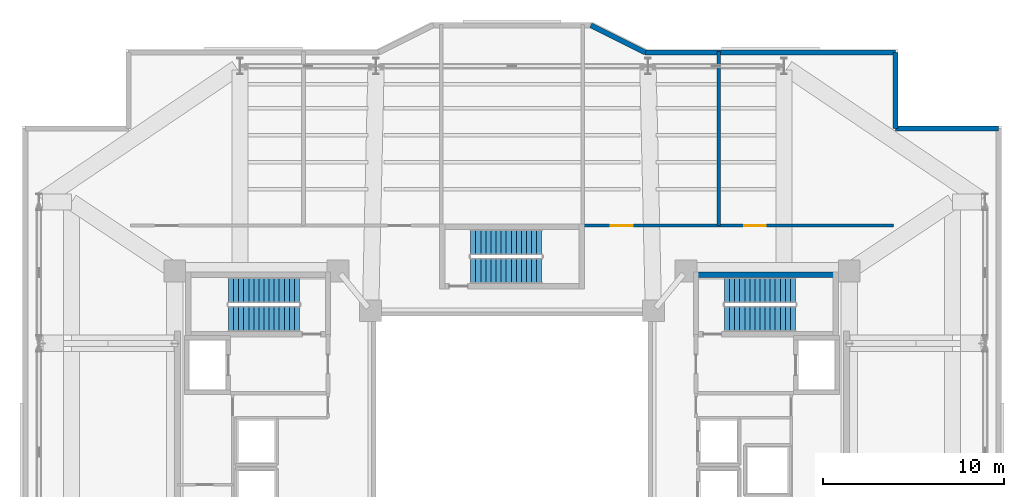
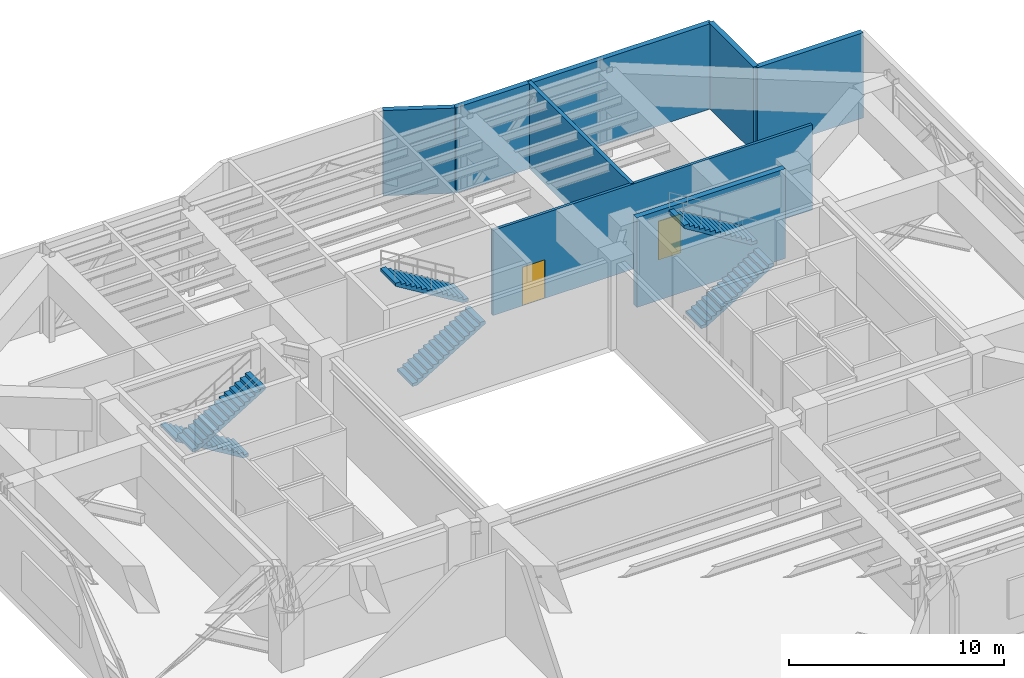
# One storey, part 10 of 13: 7 walls, 6 stair flights, 2 doors, 2 openings, 3 elements without a shape of their own.
"""IFC4 building model written with IfcOpenShell, lengths in metres."""

from ifc_helpers import new_model, si_unit, direction, frame, frame_2d, origin, place, context, subcontext, project, spatial, polyline, rectangle, outline, extrude, material, layer, layer_set, type_object, element, fill, aggregate, save


model = new_model("IFC4")

# Units and contexts
model_context = context("Model", 3, precision=1e-05, world=origin(), true_north=direction((0.0, 1.0)))
body_context = subcontext(model_context, "Body", "Model", "MODEL_VIEW")
ifc_project = project(units=[si_unit("LENGTHUNIT", "METRE"), si_unit("AREAUNIT", "SQUARE_METRE"), si_unit("VOLUMEUNIT", "CUBIC_METRE"), si_unit("PLANEANGLEUNIT", "RADIAN"), si_unit("MASSUNIT", "GRAM", prefix="KILO")], contexts=[model_context])

# Site, building, storey
site_placement = place(None, origin())
site = spatial("IfcSite", under=ifc_project, at=site_placement, CompositionType="ELEMENT")
building_placement = place(site_placement, origin())
building = spatial("IfcBuilding", under=site, at=building_placement, Name="Tarnavaz Court Tower", CompositionType="ELEMENT")
storey_placement = place(building_placement, frame((0.0, 0.0, 127.5)))
storey = spatial("IfcBuildingStorey", under=building, at=storey_placement, Name="L34", CompositionType="ELEMENT", Elevation=127.5)

# Walls
ifc_material_1 = material(Name="Concrete C60/75", Category="concrete")
ifc_layer_1 = layer(ifc_material_1, 0.300048828125)
ifc_layer_set_1 = layer_set([ifc_layer_1], Name="Concrete C60/75")
wall_type_1 = type_object("IfcWallType", Name="WL-CORE-300-C60", PredefinedType="SHEAR", material=ifc_layer_set_1)
wall_1_placement = place(storey_placement, frame((10.0, 9.7900390625, 0.0), z_axis=(0.0, 0.0, 1.0), x_axis=(1.0, 0.0, 0.0)))
element("IfcWall", 1, at=wall_1_placement, inside=storey, type_object=wall_type_1, Name="L34 East Stair Core Wall 005", PredefinedType="SHEAR", context=body_context, shape_type="SweptSolid", body=[
    extrude(rectangle(XDim=8.0, YDim=0.300048828125, at=frame_2d((4.0, 0.0))), origin(), (0.0, 0.0, 1.0), 5.10009765625),
])
ifc_material_2 = material(Name="Precast Concrete C40/50", Category="concrete")
ifc_layer_2 = layer(ifc_material_2, 0.280029296875)
ifc_layer_set_2 = layer_set([ifc_layer_2], Name="Precast Concrete C40/50")
wall_type_2 = type_object("IfcWallType", Name="WL-EXT-280", PredefinedType="SOLIDWALL", material=ifc_layer_set_2)
wall_2_placement = place(storey_placement, frame((4.35009765625, 23.550048828125, 0.0), z_axis=(0.0, 0.0, 1.0), x_axis=(0.894427191, -0.4472135955, 0.0)))
element("IfcWall", 2, at=wall_2_placement, inside=storey, type_object=wall_type_2, Name="L34 Exterior Terracotta Facade Wall 08", PredefinedType="SOLIDWALL", context=body_context, shape_type="SweptSolid", body=[
    extrude(rectangle(XDim=3.35400390625, YDim=0.280029296875, at=frame_2d((1.677001953125, 0.0))), origin(), (0.0, 0.0, 1.0), 4.85009765625),
])
wall_3_placement = place(storey_placement, frame((7.35009765625, 22.050048828125, 0.0), z_axis=(0.0, 0.0, 1.0), x_axis=(1.0, 0.0, 0.0)))
element("IfcWall", 3, at=wall_3_placement, inside=storey, type_object=wall_type_2, Name="L34 Exterior Terracotta Facade Wall 09", PredefinedType="SOLIDWALL", context=body_context, shape_type="SweptSolid", body=[
    extrude(rectangle(XDim=13.7998046875, YDim=0.280029296875, at=frame_2d((6.89990234375, 0.0))), origin(), (0.0, 0.0, 1.0), 4.85009765625),
])
wall_4_placement = place(storey_placement, frame((21.14990234375, 22.050048828125, 0.0), z_axis=(0.0, 0.0, 1.0), x_axis=(0.0, -1.0, 0.0)))
element("IfcWall", 4, at=wall_4_placement, inside=storey, type_object=wall_type_2, Name="L34 Exterior Terracotta Facade Wall 10", PredefinedType="SOLIDWALL", context=body_context, shape_type="SweptSolid", body=[
    extrude(rectangle(XDim=4.199951171875, YDim=0.280029296875, at=frame_2d((2.10009765625, 0.0))), origin(), (0.0, 0.0, 1.0), 4.85009765625),
])
wall_5_placement = place(storey_placement, frame((21.14990234375, 17.85009765625, 0.0), z_axis=(0.0, 0.0, 1.0), x_axis=(1.0, 0.0, 0.0)))
element("IfcWall", 5, at=wall_5_placement, inside=storey, type_object=wall_type_2, Name="L34 Exterior Terracotta Facade Wall 11", PredefinedType="SOLIDWALL", context=body_context, shape_type="SweptSolid", body=[
    extrude(rectangle(XDim=5.7001953125, YDim=0.280029296875, at=frame_2d((2.85009765625, 0.0))), origin(), (0.0, 0.0, 1.0), 4.85009765625),
])

# Wall, openings, doors
ifc_material_3 = material(Name="Gypsum Fire-Board on Acoustic Metal Stud", Category="masonry")
ifc_layer_3 = layer(ifc_material_3, 0.14990234375)
ifc_layer_set_3 = layer_set([ifc_layer_3], Name="Gypsum Fire-Board on Acoustic Metal Stud")
wall_type_3 = type_object("IfcWallType", Name="WL-FIRE-150", PredefinedType="PARTITIONING", material=ifc_layer_set_3)
wall_6_placement = place(storey_placement, frame((3.85009765625, 12.5, 0.0), z_axis=(0.0, 0.0, 1.0), x_axis=(1.0, 0.0, 0.0)))
wall_6 = element("IfcWall", 6, at=wall_6_placement, inside=storey, type_object=wall_type_3, Name="L34 NE Wing Corridor Wall 070", PredefinedType="PARTITIONING", context=body_context, shape_type="SweptSolid", body=[
    extrude(rectangle(XDim=17.199951171875, YDim=0.14990234375, at=frame_2d((8.60009765625, 0.0))), origin(), (0.0, 0.0, 1.0), 4.85009765625),
])
opening_1_placement = place(wall_6_placement, frame((1.60009765625, 0.0, 0.0)))
opening_1 = element("IfcOpeningElement", 7, at=opening_1_placement, cuts=wall_6, Name="Opening D03", PredefinedType="OPENING", context=body_context, shape_type="SweptSolid", body=[
    extrude(rectangle(XDim=1.199951171875, YDim=2.199951171875, at=frame_2d((0.60009765625, 1.10009765625))), frame((0.0, 0.0849609375, 0.0), z_axis=(0.0, -1.0, 0.0), x_axis=(1.0, 0.0, 0.0)), (0.0, 0.0, 1.0), 0.169921875),
])
opening_2_placement = place(wall_6_placement, frame((8.949951171875, 0.0, 0.0)))
opening_2 = element("IfcOpeningElement", 8, at=opening_2_placement, cuts=wall_6, Name="Opening D03", PredefinedType="OPENING", context=body_context, shape_type="SweptSolid", body=[
    extrude(rectangle(XDim=1.199951171875, YDim=2.199951171875, at=frame_2d((0.60009765625, 1.10009765625))), frame((0.0, 0.0849609375, 0.0), z_axis=(0.0, -1.0, 0.0), x_axis=(1.0, 0.0, 0.0)), (0.0, 0.0, 1.0), 0.169921875),
])
ifc_material_4 = material(Name="Fire-Rated Hardwood Timber Core", Category="wood")
door_type = type_object("IfcDoorType", Name="DR-FD90-1200", OperationType="NOTDEFINED", PredefinedType="DOOR", material=ifc_material_4)
door_1_placement = place(opening_1_placement, origin())
door_1 = element("IfcDoor", 9, at=door_1_placement, inside=storey, type_object=door_type, Name="L34 AHU Plant Room Door", OperationType="SINGLE_SWING_LEFT", OverallHeight=2.199951171875, OverallWidth=1.199951171875, PredefinedType="DOOR", context=body_context, shape_type="SweptSolid", body=[
    extrude(rectangle(XDim=1.199951171875, YDim=2.199951171875, at=frame_2d((0.60009765625, 1.10009765625))), frame((0.0, 0.02490234375, 0.0), z_axis=(0.0, -1.0, 0.0), x_axis=(1.0, 0.0, 0.0)), (0.0, 0.0, 1.0), 0.050048828125),
])
fill(opening_1, door_1)
door_2_placement = place(opening_2_placement, origin())
door_2 = element("IfcDoor", 10, at=door_2_placement, inside=storey, type_object=door_type, Name="L34 Booster Pump Room Door", OperationType="SINGLE_SWING_RIGHT", OverallHeight=2.199951171875, OverallWidth=1.199951171875, PredefinedType="DOOR", context=body_context, shape_type="SweptSolid", body=[
    extrude(rectangle(XDim=1.199951171875, YDim=2.199951171875, at=frame_2d((0.60009765625, 1.10009765625))), frame((0.0, 0.02490234375, 0.0), z_axis=(0.0, -1.0, 0.0), x_axis=(1.0, 0.0, 0.0)), (0.0, 0.0, 1.0), 0.050048828125),
])
fill(opening_2, door_2)

# Wall
ifc_material_5 = material(Name="Autoclaved Aerated Concrete Blockwork", Category="masonry")
ifc_layer_4 = layer(ifc_material_5, 0.199951171875)
ifc_layer_set_4 = layer_set([ifc_layer_4], Name="Autoclaved Aerated Concrete Blockwork")
wall_type_4 = type_object("IfcWallType", Name="WL-FIRE-200", PredefinedType="SOLIDWALL", material=ifc_layer_set_4)
wall_7_placement = place(storey_placement, frame((11.39990234375, 12.5, 0.0), z_axis=(0.0, 0.0, 1.0), x_axis=(0.0, 1.0, 0.0)))
element("IfcWall", 11, at=wall_7_placement, inside=storey, type_object=wall_type_4, Name="L34 Interior Partition 076", PredefinedType="SOLIDWALL", context=body_context, shape_type="SweptSolid", body=[
    extrude(rectangle(XDim=9.60009765625, YDim=0.199951171875, at=frame_2d((4.800048828125, 0.0))), origin(), (0.0, 0.0, 1.0), 4.85009765625),
])

# Stair, stair flights
ifc_material_6 = material(Name="Concrete C40/50", Category="concrete")
stair_type = type_object("IfcStairType", Name="ST-TWR-30R", PredefinedType="HALF_TURN_STAIR", material=ifc_material_6)
stair_1_placement = place(storey_placement, origin())
stair_1 = element("IfcStair", 12, at=stair_1_placement, inside=storey, type_object=stair_type, Name="L34 West Core Pressurized Exit Stair ST-W1", PredefinedType="HALF_TURN_STAIR")
stair_flight_type = type_object("IfcStairFlightType", Name="SFL-RC-30R", PredefinedType="STRAIGHT", material=ifc_material_6)
stair_flight_1_placement = place(storey_placement, frame((-11.719970703125, 8.929931640625, 0.0), z_axis=(0.0, 0.0, 1.0), x_axis=(-1.0, 0.0, 0.0)))
stair_flight_1 = element("IfcStairFlight", 13, at=stair_flight_1_placement, type_object=stair_flight_type, Name="ST-W1 flight 1", NumberOfRisers=15, NumberOfTreads=14, PredefinedType="STRAIGHT", RiserHeight=0.17, TreadLength=0.28, context=body_context, shape_type="SweptSolid", body=[
    extrude(outline(polyline([(0.0, 0.0), (0.0, 0.169921875), (0.280029296875, 0.169921875), (0.280029296875, 0.340087890625), (0.56005859375, 0.340087890625), (0.56005859375, 0.510009765625), (0.840087890625, 0.510009765625), (0.840087890625, 0.679931640625), (1.1201171875, 0.679931640625), (1.1201171875, 0.85009765625), (1.39990234375, 0.85009765625), (1.39990234375, 1.02001953125), (1.679931640625, 1.02001953125), (1.679931640625, 1.18994140625), (1.9599609375, 1.18994140625), (1.9599609375, 1.360107421875), (2.239990234375, 1.360107421875), (2.239990234375, 1.530029296875), (2.52001953125, 1.530029296875), (2.52001953125, 1.699951171875), (2.800048828125, 1.699951171875), (2.800048828125, 1.8701171875), (3.080078125, 1.8701171875), (3.080078125, 2.0400390625), (3.360107421875, 2.0400390625), (3.360107421875, 2.2099609375), (3.639892578125, 2.2099609375), (3.639892578125, 2.3798828125), (3.919921875, 2.3798828125), (3.919921875, 2.550048828125), (3.919921875, 2.20458984375), (0.288818359375, 0.0), (0.0, 0.0)])), frame((0.0, 0.7099609375, 0.0), z_axis=(0.0, -1.0, 0.0), x_axis=(1.0, 0.0, 0.0)), (0.0, 0.0, 1.0), 1.419921875),
])
stair_flight_2_placement = place(storey_placement, frame((-15.639892578125, 7.360107421875, 2.550048828125), z_axis=(0.0, 0.0, 1.0), x_axis=(1.0, 0.0, 0.0)))
stair_flight_2 = element("IfcStairFlight", 14, at=stair_flight_2_placement, type_object=stair_flight_type, Name="ST-W1 flight 2", NumberOfRisers=15, NumberOfTreads=14, PredefinedType="STRAIGHT", RiserHeight=0.17, TreadLength=0.28, context=body_context, shape_type="SweptSolid", body=[
    extrude(outline(polyline([(0.0, 0.0), (0.0, 0.169921875), (0.280029296875, 0.169921875), (0.280029296875, 0.340087890625), (0.56005859375, 0.340087890625), (0.56005859375, 0.510009765625), (0.840087890625, 0.510009765625), (0.840087890625, 0.679931640625), (1.1201171875, 0.679931640625), (1.1201171875, 0.85009765625), (1.39990234375, 0.85009765625), (1.39990234375, 1.02001953125), (1.679931640625, 1.02001953125), (1.679931640625, 1.18994140625), (1.9599609375, 1.18994140625), (1.9599609375, 1.360107421875), (2.239990234375, 1.360107421875), (2.239990234375, 1.530029296875), (2.52001953125, 1.530029296875), (2.52001953125, 1.699951171875), (2.800048828125, 1.699951171875), (2.800048828125, 1.8701171875), (3.080078125, 1.8701171875), (3.080078125, 2.0400390625), (3.360107421875, 2.0400390625), (3.360107421875, 2.2099609375), (3.639892578125, 2.2099609375), (3.639892578125, 2.3798828125), (3.919921875, 2.3798828125), (3.919921875, 2.550048828125), (3.919921875, 2.20458984375), (0.288818359375, 0.0), (0.0, 0.0)])), frame((0.0, 0.7099609375, 0.0), z_axis=(0.0, -1.0, 0.0), x_axis=(1.0, 0.0, 0.0)), (0.0, 0.0, 1.0), 1.419921875),
])
aggregate(stair_1, [stair_flight_1, stair_flight_2])

stair_2_placement = place(storey_placement, origin())
stair_2 = element("IfcStair", 15, at=stair_2_placement, inside=storey, type_object=stair_type, Name="L34 East Core Pressurized Exit Stair ST-E1", PredefinedType="HALF_TURN_STAIR")
stair_flight_3_placement = place(storey_placement, frame((11.719970703125, 7.360107421875, 0.0), z_axis=(0.0, 0.0, 1.0), x_axis=(1.0, 0.0, 0.0)))
stair_flight_3 = element("IfcStairFlight", 16, at=stair_flight_3_placement, type_object=stair_flight_type, Name="ST-E1 flight 1", NumberOfRisers=15, NumberOfTreads=14, PredefinedType="STRAIGHT", RiserHeight=0.17, TreadLength=0.28, context=body_context, shape_type="SweptSolid", body=[
    extrude(outline(polyline([(0.0, 0.0), (0.0, 0.169921875), (0.280029296875, 0.169921875), (0.280029296875, 0.340087890625), (0.56005859375, 0.340087890625), (0.56005859375, 0.510009765625), (0.840087890625, 0.510009765625), (0.840087890625, 0.679931640625), (1.1201171875, 0.679931640625), (1.1201171875, 0.85009765625), (1.39990234375, 0.85009765625), (1.39990234375, 1.02001953125), (1.679931640625, 1.02001953125), (1.679931640625, 1.18994140625), (1.9599609375, 1.18994140625), (1.9599609375, 1.360107421875), (2.239990234375, 1.360107421875), (2.239990234375, 1.530029296875), (2.52001953125, 1.530029296875), (2.52001953125, 1.699951171875), (2.800048828125, 1.699951171875), (2.800048828125, 1.8701171875), (3.080078125, 1.8701171875), (3.080078125, 2.0400390625), (3.360107421875, 2.0400390625), (3.360107421875, 2.2099609375), (3.639892578125, 2.2099609375), (3.639892578125, 2.3798828125), (3.919921875, 2.3798828125), (3.919921875, 2.550048828125), (3.919921875, 2.20458984375), (0.288818359375, 0.0), (0.0, 0.0)])), frame((0.0, 0.7099609375, 0.0), z_axis=(0.0, -1.0, 0.0), x_axis=(1.0, 0.0, 0.0)), (0.0, 0.0, 1.0), 1.419921875),
])
stair_flight_4_placement = place(storey_placement, frame((15.639892578125, 8.929931640625, 2.550048828125), z_axis=(0.0, 0.0, 1.0), x_axis=(-1.0, 0.0, 0.0)))
stair_flight_4 = element("IfcStairFlight", 17, at=stair_flight_4_placement, type_object=stair_flight_type, Name="ST-E1 flight 2", NumberOfRisers=15, NumberOfTreads=14, PredefinedType="STRAIGHT", RiserHeight=0.17, TreadLength=0.28, context=body_context, shape_type="SweptSolid", body=[
    extrude(outline(polyline([(0.0, 0.0), (0.0, 0.169921875), (0.280029296875, 0.169921875), (0.280029296875, 0.340087890625), (0.56005859375, 0.340087890625), (0.56005859375, 0.510009765625), (0.840087890625, 0.510009765625), (0.840087890625, 0.679931640625), (1.1201171875, 0.679931640625), (1.1201171875, 0.85009765625), (1.39990234375, 0.85009765625), (1.39990234375, 1.02001953125), (1.679931640625, 1.02001953125), (1.679931640625, 1.18994140625), (1.9599609375, 1.18994140625), (1.9599609375, 1.360107421875), (2.239990234375, 1.360107421875), (2.239990234375, 1.530029296875), (2.52001953125, 1.530029296875), (2.52001953125, 1.699951171875), (2.800048828125, 1.699951171875), (2.800048828125, 1.8701171875), (3.080078125, 1.8701171875), (3.080078125, 2.0400390625), (3.360107421875, 2.0400390625), (3.360107421875, 2.2099609375), (3.639892578125, 2.2099609375), (3.639892578125, 2.3798828125), (3.919921875, 2.3798828125), (3.919921875, 2.550048828125), (3.919921875, 2.20458984375), (0.288818359375, 0.0), (0.0, 0.0)])), frame((0.0, 0.7099609375, 0.0), z_axis=(0.0, -1.0, 0.0), x_axis=(1.0, 0.0, 0.0)), (0.0, 0.0, 1.0), 1.419921875),
])
aggregate(stair_2, [stair_flight_3, stair_flight_4])

stair_3_placement = place(storey_placement, origin())
stair_3 = element("IfcStair", 18, at=stair_3_placement, inside=storey, type_object=stair_type, Name="L34 North Ring Pressurized Exit Stair ST-N1", PredefinedType="HALF_TURN_STAIR")
stair_flight_5_placement = place(storey_placement, frame((-2.280029296875, 10.010009765625, 0.0), z_axis=(0.0, 0.0, 1.0), x_axis=(1.0, 0.0, 0.0)))
stair_flight_5 = element("IfcStairFlight", 19, at=stair_flight_5_placement, type_object=stair_flight_type, Name="ST-N1 flight 1", NumberOfRisers=15, NumberOfTreads=14, PredefinedType="STRAIGHT", RiserHeight=0.17, TreadLength=0.28, context=body_context, shape_type="SweptSolid", body=[
    extrude(outline(polyline([(0.0, 0.0), (0.0, 0.169921875), (0.280029296875, 0.169921875), (0.280029296875, 0.340087890625), (0.56005859375, 0.340087890625), (0.56005859375, 0.510009765625), (0.840087890625, 0.510009765625), (0.840087890625, 0.679931640625), (1.1201171875, 0.679931640625), (1.1201171875, 0.85009765625), (1.39990234375, 0.85009765625), (1.39990234375, 1.02001953125), (1.679931640625, 1.02001953125), (1.679931640625, 1.18994140625), (1.9599609375, 1.18994140625), (1.9599609375, 1.360107421875), (2.239990234375, 1.360107421875), (2.239990234375, 1.530029296875), (2.52001953125, 1.530029296875), (2.52001953125, 1.699951171875), (2.800048828125, 1.699951171875), (2.800048828125, 1.8701171875), (3.080078125, 1.8701171875), (3.080078125, 2.0400390625), (3.360107421875, 2.0400390625), (3.360107421875, 2.2099609375), (3.639892578125, 2.2099609375), (3.639892578125, 2.3798828125), (3.919921875, 2.3798828125), (3.919921875, 2.550048828125), (3.919921875, 2.20458984375), (0.288818359375, 0.0), (0.0, 0.0)])), frame((0.0, 0.7099609375, 0.0), z_axis=(0.0, -1.0, 0.0), x_axis=(1.0, 0.0, 0.0)), (0.0, 0.0, 1.0), 1.419921875),
])
stair_flight_6_placement = place(storey_placement, frame((1.639892578125, 11.580078125, 2.550048828125), z_axis=(0.0, 0.0, 1.0), x_axis=(-1.0, 0.0, 0.0)))
stair_flight_6 = element("IfcStairFlight", 20, at=stair_flight_6_placement, type_object=stair_flight_type, Name="ST-N1 flight 2", NumberOfRisers=15, NumberOfTreads=14, PredefinedType="STRAIGHT", RiserHeight=0.17, TreadLength=0.28, context=body_context, shape_type="SweptSolid", body=[
    extrude(outline(polyline([(0.0, 0.0), (0.0, 0.169921875), (0.280029296875, 0.169921875), (0.280029296875, 0.340087890625), (0.56005859375, 0.340087890625), (0.56005859375, 0.510009765625), (0.840087890625, 0.510009765625), (0.840087890625, 0.679931640625), (1.1201171875, 0.679931640625), (1.1201171875, 0.85009765625), (1.39990234375, 0.85009765625), (1.39990234375, 1.02001953125), (1.679931640625, 1.02001953125), (1.679931640625, 1.18994140625), (1.9599609375, 1.18994140625), (1.9599609375, 1.360107421875), (2.239990234375, 1.360107421875), (2.239990234375, 1.530029296875), (2.52001953125, 1.530029296875), (2.52001953125, 1.699951171875), (2.800048828125, 1.699951171875), (2.800048828125, 1.8701171875), (3.080078125, 1.8701171875), (3.080078125, 2.0400390625), (3.360107421875, 2.0400390625), (3.360107421875, 2.2099609375), (3.639892578125, 2.2099609375), (3.639892578125, 2.3798828125), (3.919921875, 2.3798828125), (3.919921875, 2.550048828125), (3.919921875, 2.20458984375), (0.288818359375, 0.0), (0.0, 0.0)])), frame((0.0, 0.7099609375, 0.0), z_axis=(0.0, -1.0, 0.0), x_axis=(1.0, 0.0, 0.0)), (0.0, 0.0, 1.0), 1.419921875),
])
aggregate(stair_3, [stair_flight_5, stair_flight_6])

save(model, "model.ifc")
